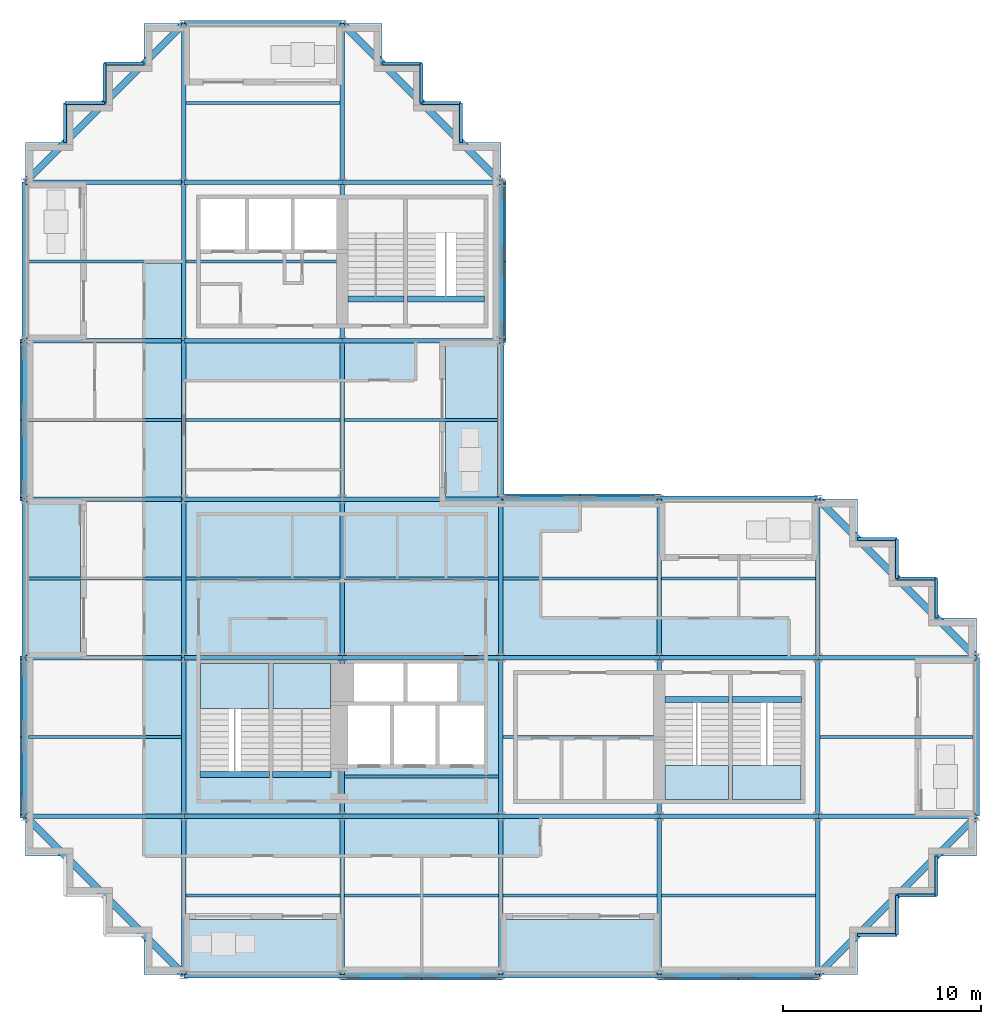
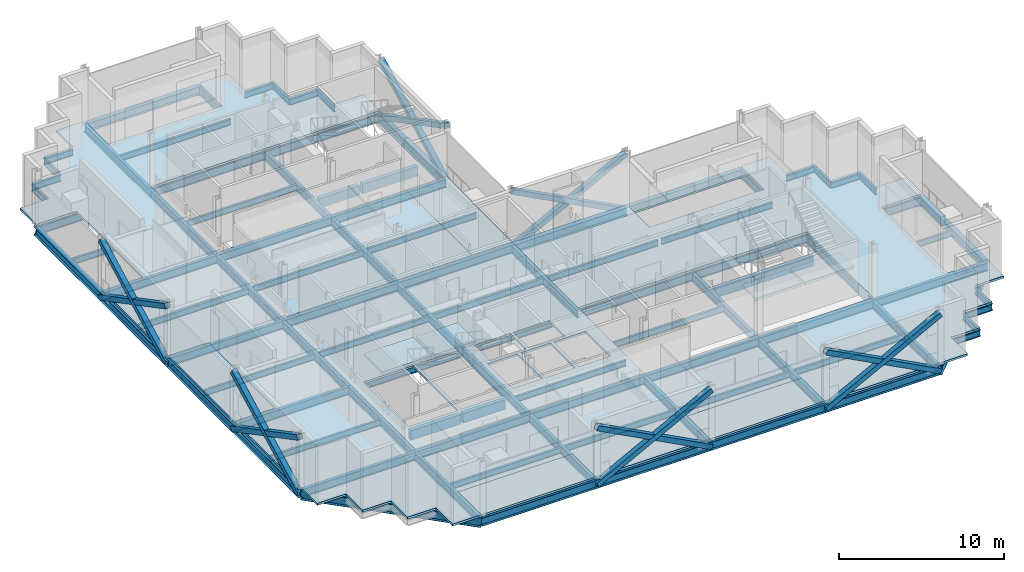
# One storey, part 3 of 12: 102 beams, 12 members, 10 slabs, 4 elements without a shape of their own.
"""IFC4 building model written with IfcOpenShell, lengths in metres."""

from ifc_helpers import new_model, si_unit, direction, frame, origin, origin_2d, place, context, subcontext, project, spatial, polyline, rectangle, hollow_rectangle, i_section, outline, extrude, material, layer, layer_set, material_profile, profile_set, type_object, element, aggregate, save


model = new_model("IFC4")

# Units and contexts
model_context = context("Model", 3, precision=1e-05, world=origin(), true_north=direction((0.0, 1.0)))
body_context = subcontext(model_context, "Body", "Model", "MODEL_VIEW")
ifc_project = project(units=[si_unit("LENGTHUNIT", "METRE"), si_unit("AREAUNIT", "SQUARE_METRE"), si_unit("VOLUMEUNIT", "CUBIC_METRE"), si_unit("PLANEANGLEUNIT", "RADIAN"), si_unit("MASSUNIT", "GRAM", prefix="KILO")], contexts=[model_context])

# Site, building, storey
site_placement = place(None, origin())
site = spatial("IfcSite", under=ifc_project, at=site_placement, CompositionType="ELEMENT")
building_placement = place(site_placement, origin())
building = spatial("IfcBuilding", under=site, at=building_placement, Name="Immortelle Media Tower", CompositionType="ELEMENT")
storey_placement = place(building_placement, frame((0.0, 0.0, 153.60009765625)))
storey = spatial("IfcBuildingStorey", under=building, at=storey_placement, Name="L31", CompositionType="ELEMENT", Elevation=153.60009765625)

# Members
ifc_material_1 = material(Name="Steel ASTM A500 Gr C", Category="steel")
ifc_material_profile_1 = material_profile(ifc_material_1, hollow_rectangle(XDim=0.35595703125, YDim=0.35595703125, WallThickness=0.011962890625, at=origin_2d()), Name="HSS14x14x1/2 brace")
ifc_profile_set_1 = profile_set([ifc_material_profile_1], Name="Steel ASTM A500 Gr C")
member_type = type_object("IfcMemberType", Name="HSS14x14x1/2 brace", PredefinedType="BRACE", material=ifc_profile_set_1)
for number, where, z_axis, x_axis, name in (
    (1, (16.0, -0.087890625, -0.4560546875), (0.885400126936, 0.0, 0.464829662588), (0.0, 1.0, 0.0), "Brace A/3-4 A"),
    (2, (16.0, -0.087890625, 3.743896484375), (0.885400126936, 0.0, -0.464829662588), (0.0, 1.0, 0.0), "Brace A/3-4 B"),
    (3, (32.0, -0.087890625, -0.4560546875), (0.885400126936, 0.0, 0.464829662588), (0.0, 1.0, 0.0), "Brace A/5-6 A"),
    (4, (32.0, -0.087890625, 3.743896484375), (0.885400126936, 0.0, -0.464829662588), (0.0, 1.0, 0.0), "Brace A/5-6 B"),
    (5, (32.0, 24.087890625, -0.4560546875), (-0.885400126936, 0.0, 0.464829662588), (0.0, -1.0, 0.0), "Brace D/4-5 A"),
    (6, (32.0, 24.087890625, 3.743896484375), (-0.885400126936, 0.0, -0.464829662588), (0.0, -1.0, 0.0), "Brace D/4-5 B"),
    (7, (24.087890625, 32.0, -0.4560546875), (0.0, 0.885400126936, 0.464829662588), (-1.0, 0.0, 0.0), "Brace 4/E-F A"),
    (8, (24.087890625, 32.0, 3.743896484375), (0.0, 0.885400126936, -0.464829662588), (-1.0, 0.0, 0.0), "Brace 4/E-F B"),
    (9, (-0.087890625, 32.0, -0.4560546875), (0.0, -0.885400126936, 0.464829662588), (1.0, 0.0, 0.0), "Brace 1/D-E A"),
    (10, (-0.087890625, 32.0, 3.743896484375), (0.0, -0.885400126936, -0.464829662588), (1.0, 0.0, 0.0), "Brace 1/D-E B"),
    (11, (-0.087890625, 16.0, -0.4560546875), (0.0, -0.885400126936, 0.464829662588), (1.0, 0.0, 0.0), "Brace 1/B-C A"),
    (12, (-0.087890625, 16.0, 3.743896484375), (0.0, -0.885400126936, -0.464829662588), (1.0, 0.0, 0.0), "Brace 1/B-C B"),
):
    element("IfcMember", number, at=place(storey_placement, frame(where, z_axis=z_axis, x_axis=x_axis)), inside=storey, type_object=member_type, Name=name, PredefinedType="BRACE", context=body_context, shape_type="SweptSolid", body=[
        extrude(hollow_rectangle(XDim=0.35595703125, YDim=0.35595703125, WallThickness=0.011962890625, at=origin_2d()), origin(), (0.0, 0.0, 1.0), 9.035400390625),
    ])

# Beams
ifc_material_2 = material(Name="Concrete C50/60", Category="concrete")
ifc_material_profile_2 = material_profile(ifc_material_2, rectangle(XDim=0.300048828125, YDim=0.699951171875, at=origin_2d()), Name="RC 300x700")
ifc_profile_set_2 = profile_set([ifc_material_profile_2], Name="Concrete C50/60")
beam_type_1 = type_object("IfcBeamType", Name="Stair trimmer beam 300 x 700", PredefinedType="BEAM", material=ifc_profile_set_2)
beam_1_placement = place(storey_placement, frame((8.830078125, 10.10498046875, -0.5), z_axis=(1.0, 0.0, 0.0), x_axis=(0.0, 1.0, 0.0)))
element("IfcBeam", 13, at=beam_1_placement, inside=storey, type_object=beam_type_1, Name="Stair trimmer beam SW1", PredefinedType="BEAM", context=body_context, shape_type="SweptSolid", body=[
    extrude(rectangle(XDim=0.300048828125, YDim=0.699951171875, at=origin_2d()), origin(), (0.0, 0.0, 1.0), 3.489990234375),
])
beam_2_placement = place(storey_placement, frame((12.47998046875, 10.10498046875, -0.5), z_axis=(1.0, 0.0, 0.0), x_axis=(0.0, 1.0, 0.0)))
element("IfcBeam", 14, at=beam_2_placement, inside=storey, type_object=beam_type_1, Name="Stair trimmer beam SW2", PredefinedType="BEAM", context=body_context, shape_type="SweptSolid", body=[
    extrude(rectangle(XDim=0.300048828125, YDim=0.699951171875, at=origin_2d()), origin(), (0.0, 0.0, 1.0), 2.93994140625),
])
beam_3_placement = place(storey_placement, frame((32.280029296875, 13.89501953125, -0.5), z_axis=(1.0, 0.0, 0.0), x_axis=(0.0, 1.0, 0.0)))
element("IfcBeam", 15, at=beam_3_placement, inside=storey, type_object=beam_type_1, Name="Stair trimmer beam SE1", PredefinedType="BEAM", context=body_context, shape_type="SweptSolid", body=[
    extrude(rectangle(XDim=0.300048828125, YDim=0.699951171875, at=origin_2d()), origin(), (0.0, 0.0, 1.0), 3.239990234375),
])
beam_4_placement = place(storey_placement, frame((35.679931640625, 13.89501953125, -0.5), z_axis=(1.0, 0.0, 0.0), x_axis=(0.0, 1.0, 0.0)))
element("IfcBeam", 16, at=beam_4_placement, inside=storey, type_object=beam_type_1, Name="Stair trimmer beam SE2", PredefinedType="BEAM", context=body_context, shape_type="SweptSolid", body=[
    extrude(rectangle(XDim=0.300048828125, YDim=0.699951171875, at=origin_2d()), origin(), (0.0, 0.0, 1.0), 3.489990234375),
])
beam_5_placement = place(storey_placement, frame((16.280029296875, 34.10498046875, -0.5), z_axis=(1.0, 0.0, 0.0), x_axis=(0.0, 1.0, 0.0)))
element("IfcBeam", 17, at=beam_5_placement, inside=storey, type_object=beam_type_1, Name="Stair trimmer beam NW1", PredefinedType="BEAM", context=body_context, shape_type="SweptSolid", body=[
    extrude(rectangle(XDim=0.300048828125, YDim=0.699951171875, at=origin_2d()), origin(), (0.0, 0.0, 1.0), 2.840087890625),
])
beam_6_placement = place(storey_placement, frame((19.280029296875, 34.10498046875, -0.5), z_axis=(1.0, 0.0, 0.0), x_axis=(0.0, 1.0, 0.0)))
element("IfcBeam", 18, at=beam_6_placement, inside=storey, type_object=beam_type_1, Name="Stair trimmer beam NW2", PredefinedType="BEAM", context=body_context, shape_type="SweptSolid", body=[
    extrude(rectangle(XDim=0.300048828125, YDim=0.699951171875, at=origin_2d()), origin(), (0.0, 0.0, 1.0), 3.889892578125),
])
ifc_material_3 = material(Name="Steel ASTM A992 Gr 50", Category="steel")
ifc_material_profile_3 = material_profile(ifc_material_3, i_section(OverallWidth=0.153076171875, OverallDepth=0.455078125, WebThickness=0.008056640625, FlangeThickness=0.012939453125, at=origin_2d()), Name="W18x40")
ifc_profile_set_3 = profile_set([ifc_material_profile_3], Name="Steel ASTM A992 Gr 50")
beam_type_2 = type_object("IfcBeamType", Name="W18x40 secondary beam", PredefinedType="JOIST", material=ifc_profile_set_3)
for number, where, z_axis, x_axis, name in (
    (19, (8.114013671875, 4.0, -0.377685546875), (1.0, 0.0, 0.0), (0.0, 1.0, 0.0), "Beam A-B/2-3"),
    (20, (16.114013671875, 4.0, -0.377685546875), (1.0, 0.0, 0.0), (0.0, 1.0, 0.0), "Beam A-B/3-4"),
    (21, (24.114013671875, 4.0, -0.377685546875), (1.0, 0.0, 0.0), (0.0, 1.0, 0.0), "Beam A-B/4-5"),
    (22, (32.114013671875, 4.0, -0.377685546875), (1.0, 0.0, 0.0), (0.0, 1.0, 0.0), "Beam A-B/5-6"),
):
    element("IfcBeam", number, at=place(storey_placement, frame(where, z_axis=z_axis, x_axis=x_axis)), inside=storey, type_object=beam_type_2, Name=name, PredefinedType="JOIST", context=body_context, shape_type="SweptSolid", body=[
        extrude(i_section(OverallWidth=0.153076171875, OverallDepth=0.455078125, WebThickness=0.008056640625, FlangeThickness=0.012939453125, at=origin_2d()), origin(), (0.0, 0.0, 1.0), 7.77197265625),
    ])
beam_7_placement = place(storey_placement, frame((0.162109375, 12.0, -0.377685546875), z_axis=(1.0, 0.0, 0.0), x_axis=(0.0, 1.0, 0.0)))
element("IfcBeam", 23, at=beam_7_placement, inside=storey, type_object=beam_type_2, Name="Beam B-C/1-2", PredefinedType="JOIST", context=body_context, shape_type="SweptSolid", body=[
    extrude(i_section(OverallWidth=0.153076171875, OverallDepth=0.455078125, WebThickness=0.008056640625, FlangeThickness=0.012939453125, at=origin_2d()), origin(), (0.0, 0.0, 1.0), 7.723876953125),
])
for number, where, z_axis, x_axis, name in (
    (24, (16.114013671875, 10.0, -0.377685546875), (1.0, 0.0, 0.0), (0.0, 1.0, 0.0), "Beam B-C/3-4"),
    (25, (24.114013671875, 12.0, -0.377685546875), (1.0, 0.0, 0.0), (0.0, 1.0, 0.0), "Beam B-C/4-5"),
):
    element("IfcBeam", number, at=place(storey_placement, frame(where, z_axis=z_axis, x_axis=x_axis)), inside=storey, type_object=beam_type_2, Name=name, PredefinedType="JOIST", context=body_context, shape_type="SweptSolid", body=[
        extrude(i_section(OverallWidth=0.153076171875, OverallDepth=0.455078125, WebThickness=0.008056640625, FlangeThickness=0.012939453125, at=origin_2d()), origin(), (0.0, 0.0, 1.0), 7.77197265625),
    ])
for number, where, z_axis, x_axis, name in (
    (26, (40.114013671875, 12.0, -0.377685546875), (1.0, 0.0, 0.0), (0.0, 1.0, 0.0), "Beam B-C/6-7"),
    (27, (0.162109375, 20.0, -0.377685546875), (1.0, 0.0, 0.0), (0.0, 1.0, 0.0), "Beam C-D/1-2"),
):
    element("IfcBeam", number, at=place(storey_placement, frame(where, z_axis=z_axis, x_axis=x_axis)), inside=storey, type_object=beam_type_2, Name=name, PredefinedType="JOIST", context=body_context, shape_type="SweptSolid", body=[
        extrude(i_section(OverallWidth=0.153076171875, OverallDepth=0.455078125, WebThickness=0.008056640625, FlangeThickness=0.012939453125, at=origin_2d()), origin(), (0.0, 0.0, 1.0), 7.723876953125),
    ])
for number, where, z_axis, x_axis, name in (
    (28, (8.114013671875, 20.0, -0.377685546875), (1.0, 0.0, 0.0), (0.0, 1.0, 0.0), "Beam C-D/2-3"),
    (29, (16.114013671875, 20.0, -0.377685546875), (1.0, 0.0, 0.0), (0.0, 1.0, 0.0), "Beam C-D/3-4"),
    (30, (24.114013671875, 20.0, -0.377685546875), (1.0, 0.0, 0.0), (0.0, 1.0, 0.0), "Beam C-D/4-5"),
    (31, (32.114013671875, 20.0, -0.377685546875), (1.0, 0.0, 0.0), (0.0, 1.0, 0.0), "Beam C-D/5-6"),
):
    element("IfcBeam", number, at=place(storey_placement, frame(where, z_axis=z_axis, x_axis=x_axis)), inside=storey, type_object=beam_type_2, Name=name, PredefinedType="JOIST", context=body_context, shape_type="SweptSolid", body=[
        extrude(i_section(OverallWidth=0.153076171875, OverallDepth=0.455078125, WebThickness=0.008056640625, FlangeThickness=0.012939453125, at=origin_2d()), origin(), (0.0, 0.0, 1.0), 7.77197265625),
    ])
beam_8_placement = place(storey_placement, frame((0.162109375, 28.0, -0.377685546875), z_axis=(1.0, 0.0, 0.0), x_axis=(0.0, 1.0, 0.0)))
element("IfcBeam", 32, at=beam_8_placement, inside=storey, type_object=beam_type_2, Name="Beam D-E/1-2", PredefinedType="JOIST", context=body_context, shape_type="SweptSolid", body=[
    extrude(i_section(OverallWidth=0.153076171875, OverallDepth=0.455078125, WebThickness=0.008056640625, FlangeThickness=0.012939453125, at=origin_2d()), origin(), (0.0, 0.0, 1.0), 7.723876953125),
])
beam_9_placement = place(storey_placement, frame((8.114013671875, 28.0, -0.377685546875), z_axis=(1.0, 0.0, 0.0), x_axis=(0.0, 1.0, 0.0)))
element("IfcBeam", 33, at=beam_9_placement, inside=storey, type_object=beam_type_2, Name="Beam D-E/2-3", PredefinedType="JOIST", context=body_context, shape_type="SweptSolid", body=[
    extrude(i_section(OverallWidth=0.153076171875, OverallDepth=0.455078125, WebThickness=0.008056640625, FlangeThickness=0.012939453125, at=origin_2d()), origin(), (0.0, 0.0, 1.0), 7.77197265625),
])
for number, where, z_axis, x_axis, name in (
    (34, (16.114013671875, 28.0, -0.377685546875), (1.0, 0.0, 0.0), (0.0, 1.0, 0.0), "Beam D-E/3-4"),
    (35, (0.162109375, 36.0, -0.377685546875), (1.0, 0.0, 0.0), (0.0, 1.0, 0.0), "Beam E-F/1-2"),
):
    element("IfcBeam", number, at=place(storey_placement, frame(where, z_axis=z_axis, x_axis=x_axis)), inside=storey, type_object=beam_type_2, Name=name, PredefinedType="JOIST", context=body_context, shape_type="SweptSolid", body=[
        extrude(i_section(OverallWidth=0.153076171875, OverallDepth=0.455078125, WebThickness=0.008056640625, FlangeThickness=0.012939453125, at=origin_2d()), origin(), (0.0, 0.0, 1.0), 7.723876953125),
    ])
for number, where, z_axis, x_axis, name in (
    (36, (8.114013671875, 36.0, -0.377685546875), (1.0, 0.0, 0.0), (0.0, 1.0, 0.0), "Beam E-F/2-3"),
    (37, (8.114013671875, 44.0, -0.377685546875), (1.0, 0.0, 0.0), (0.0, 1.0, 0.0), "Beam F-G/2-3"),
):
    element("IfcBeam", number, at=place(storey_placement, frame(where, z_axis=z_axis, x_axis=x_axis)), inside=storey, type_object=beam_type_2, Name=name, PredefinedType="JOIST", context=body_context, shape_type="SweptSolid", body=[
        extrude(i_section(OverallWidth=0.153076171875, OverallDepth=0.455078125, WebThickness=0.008056640625, FlangeThickness=0.012939453125, at=origin_2d()), origin(), (0.0, 0.0, 1.0), 7.77197265625),
    ])
ifc_material_profile_4 = material_profile(ifc_material_3, i_section(OverallWidth=0.153076171875, OverallDepth=0.455078125, WebThickness=0.008056640625, FlangeThickness=0.012939453125, at=origin_2d()), Name="W18x40")
ifc_profile_set_4 = profile_set([ifc_material_profile_4], Name="Steel ASTM A992 Gr 50")
beam_type_3 = type_object("IfcBeamType", Name="W18x40 serration edge beam", PredefinedType="SPANDREL", material=ifc_profile_set_4)
for number, where, z_axis, x_axis, name in (
    (38, (2.0, 42.0, -0.377685546875), (0.0, 1.0, 0.0), (-1.0, 0.0, 0.0), "Corner edge beam 1 at 1/G"),
    (39, (2.0, 44.0, -0.377685546875), (1.0, 0.0, 0.0), (0.0, 1.0, 0.0), "Corner edge beam 2 at 1/G"),
    (40, (4.0, 44.0, -0.377685546875), (0.0, 1.0, 0.0), (-1.0, 0.0, 0.0), "Corner edge beam 3 at 1/G"),
    (41, (4.0, 46.0, -0.377685546875), (1.0, 0.0, 0.0), (0.0, 1.0, 0.0), "Corner edge beam 4 at 1/G"),
    (42, (18.0, 46.0, -0.377685546875), (1.0, 0.0, 0.0), (0.0, 1.0, 0.0), "Corner edge beam 1 at 4/G"),
    (43, (20.0, 46.0, -0.377685546875), (0.0, -1.0, 0.0), (1.0, 0.0, 0.0), "Corner edge beam 2 at 4/G"),
    (44, (20.0, 44.0, -0.377685546875), (1.0, 0.0, 0.0), (0.0, 1.0, 0.0), "Corner edge beam 3 at 4/G"),
    (45, (22.0, 44.0, -0.377685546875), (0.0, -1.0, 0.0), (1.0, 0.0, 0.0), "Corner edge beam 4 at 4/G"),
    (46, (46.0, 6.0, -0.377685546875), (0.0, -1.0, 0.0), (1.0, 0.0, 0.0), "Corner edge beam 1 at 7/A"),
    (47, (46.0, 4.0, -0.377685546875), (-1.0, 0.0, 0.0), (0.0, -1.0, 0.0), "Corner edge beam 2 at 7/A"),
    (48, (44.0, 4.0, -0.377685546875), (0.0, -1.0, 0.0), (1.0, 0.0, 0.0), "Corner edge beam 3 at 7/A"),
    (49, (44.0, 2.0, -0.377685546875), (-1.0, 0.0, 0.0), (0.0, -1.0, 0.0), "Corner edge beam 4 at 7/A"),
    (50, (42.0, 22.0, -0.377685546875), (1.0, 0.0, 0.0), (0.0, 1.0, 0.0), "Corner edge beam 1 at 7/D"),
    (51, (44.0, 22.0, -0.377685546875), (0.0, -1.0, 0.0), (1.0, 0.0, 0.0), "Corner edge beam 2 at 7/D"),
    (52, (44.0, 20.0, -0.377685546875), (1.0, 0.0, 0.0), (0.0, 1.0, 0.0), "Corner edge beam 3 at 7/D"),
    (53, (46.0, 20.0, -0.377685546875), (0.0, -1.0, 0.0), (1.0, 0.0, 0.0), "Corner edge beam 4 at 7/D"),
):
    element("IfcBeam", number, at=place(storey_placement, frame(where, z_axis=z_axis, x_axis=x_axis)), inside=storey, type_object=beam_type_3, Name=name, PredefinedType="SPANDREL", context=body_context, shape_type="SweptSolid", body=[
        extrude(i_section(OverallWidth=0.153076171875, OverallDepth=0.455078125, WebThickness=0.008056640625, FlangeThickness=0.012939453125, at=origin_2d()), origin(), (0.0, 0.0, 1.0), 2.0),
    ])
ifc_material_profile_5 = material_profile(ifc_material_3, i_section(OverallWidth=0.323974609375, OverallDepth=0.612060546875, WebThickness=0.012939453125, FlangeThickness=0.01904296875, at=origin_2d()), Name="W24x104")
ifc_profile_set_5 = profile_set([ifc_material_profile_5], Name="Steel ASTM A992 Gr 50")
beam_type_4 = type_object("IfcBeamType", Name="W24x104 perimeter girder", PredefinedType="SPANDREL", material=ifc_profile_set_5)
for number, where, z_axis, x_axis, name in (
    (54, (0.0, 8.0, -0.4560546875), (0.0, 1.0, 0.0), (-1.0, 0.0, 0.0), "Girder 1/B-C"),
    (55, (0.0, 16.0, -0.4560546875), (0.0, 1.0, 0.0), (-1.0, 0.0, 0.0), "Girder 1/C-D"),
    (56, (0.0, 24.0, -0.4560546875), (0.0, 1.0, 0.0), (-1.0, 0.0, 0.0), "Girder 1/D-E"),
    (57, (0.0, 32.0, -0.4560546875), (0.0, 1.0, 0.0), (-1.0, 0.0, 0.0), "Girder 1/E-F"),
    (58, (8.0, 0.0, -0.4560546875), (1.0, 0.0, 0.0), (0.0, 1.0, 0.0), "Girder A/2-3"),
    (59, (8.0, 48.0, -0.4560546875), (1.0, 0.0, 0.0), (0.0, 1.0, 0.0), "Girder G/2-3"),
    (60, (16.0, 0.0, -0.4560546875), (1.0, 0.0, 0.0), (0.0, 1.0, 0.0), "Girder A/3-4"),
    (61, (24.0, 0.0, -0.4560546875), (1.0, 0.0, 0.0), (0.0, 1.0, 0.0), "Girder A/4-5"),
    (62, (24.0, 24.0, -0.4560546875), (1.0, 0.0, 0.0), (0.0, 1.0, 0.0), "Girder D/4-5"),
    (63, (24.0, 24.0, -0.4560546875), (0.0, 1.0, 0.0), (-1.0, 0.0, 0.0), "Girder 4/D-E"),
    (64, (24.0, 32.0, -0.4560546875), (0.0, 1.0, 0.0), (-1.0, 0.0, 0.0), "Girder 4/E-F"),
    (65, (32.0, 0.0, -0.4560546875), (1.0, 0.0, 0.0), (0.0, 1.0, 0.0), "Girder A/5-6"),
    (66, (32.0, 24.0, -0.4560546875), (1.0, 0.0, 0.0), (0.0, 1.0, 0.0), "Girder D/5-6"),
    (67, (48.0, 8.0, -0.4560546875), (0.0, 1.0, 0.0), (-1.0, 0.0, 0.0), "Girder 7/B-C"),
):
    element("IfcBeam", number, at=place(storey_placement, frame(where, z_axis=z_axis, x_axis=x_axis)), inside=storey, type_object=beam_type_4, Name=name, PredefinedType="SPANDREL", context=body_context, shape_type="SweptSolid", body=[
        extrude(i_section(OverallWidth=0.323974609375, OverallDepth=0.612060546875, WebThickness=0.012939453125, FlangeThickness=0.01904296875, at=origin_2d()), origin(), (0.0, 0.0, 1.0), 8.0),
    ])
ifc_material_profile_6 = material_profile(ifc_material_3, i_section(OverallWidth=0.22802734375, OverallDepth=0.60205078125, WebThickness=0.010986328125, FlangeThickness=0.014892578125, at=origin_2d()), Name="W24x68")
ifc_profile_set_6 = profile_set([ifc_material_profile_6], Name="Steel ASTM A992 Gr 50")
beam_type_5 = type_object("IfcBeamType", Name="W24x68 girder", PredefinedType="BEAM", material=ifc_profile_set_6)
for number, where, z_axis, x_axis, name in (
    (68, (0.0, 8.0, -0.451171875), (1.0, 0.0, 0.0), (0.0, 1.0, 0.0), "Girder B/1-2"),
    (69, (0.0, 16.0, -0.451171875), (1.0, 0.0, 0.0), (0.0, 1.0, 0.0), "Girder C/1-2"),
    (70, (0.0, 24.0, -0.451171875), (1.0, 0.0, 0.0), (0.0, 1.0, 0.0), "Girder D/1-2"),
    (71, (0.0, 32.0, -0.451171875), (1.0, 0.0, 0.0), (0.0, 1.0, 0.0), "Girder E/1-2"),
    (72, (0.0, 40.0, -0.451171875), (1.0, 0.0, 0.0), (0.0, 1.0, 0.0), "Girder F/1-2"),
    (73, (8.0, 0.0, -0.451171875), (0.0, 1.0, 0.0), (-1.0, 0.0, 0.0), "Girder 2/A-B"),
    (74, (8.0, 8.0, -0.451171875), (1.0, 0.0, 0.0), (0.0, 1.0, 0.0), "Girder B/2-3"),
    (75, (8.0, 8.0, -0.451171875), (0.0, 1.0, 0.0), (-1.0, 0.0, 0.0), "Girder 2/B-C"),
    (76, (8.0, 16.0, -0.451171875), (1.0, 0.0, 0.0), (0.0, 1.0, 0.0), "Girder C/2-3"),
    (77, (8.0, 16.0, -0.451171875), (0.0, 1.0, 0.0), (-1.0, 0.0, 0.0), "Girder 2/C-D"),
    (78, (8.0, 24.0, -0.451171875), (1.0, 0.0, 0.0), (0.0, 1.0, 0.0), "Girder D/2-3"),
    (79, (8.0, 24.0, -0.451171875), (0.0, 1.0, 0.0), (-1.0, 0.0, 0.0), "Girder 2/D-E"),
    (80, (8.0, 32.0, -0.451171875), (1.0, 0.0, 0.0), (0.0, 1.0, 0.0), "Girder E/2-3"),
    (81, (8.0, 32.0, -0.451171875), (0.0, 1.0, 0.0), (-1.0, 0.0, 0.0), "Girder 2/E-F"),
    (82, (8.0, 40.0, -0.451171875), (1.0, 0.0, 0.0), (0.0, 1.0, 0.0), "Girder F/2-3"),
    (83, (8.0, 40.0, -0.451171875), (0.0, 1.0, 0.0), (-1.0, 0.0, 0.0), "Girder 2/F-G"),
    (84, (16.0, 0.0, -0.451171875), (0.0, 1.0, 0.0), (-1.0, 0.0, 0.0), "Girder 3/A-B"),
    (85, (16.0, 8.0, -0.451171875), (1.0, 0.0, 0.0), (0.0, 1.0, 0.0), "Girder B/3-4"),
    (86, (16.0, 8.0, -0.451171875), (0.0, 1.0, 0.0), (-1.0, 0.0, 0.0), "Girder 3/B-C"),
    (87, (16.0, 16.0, -0.451171875), (1.0, 0.0, 0.0), (0.0, 1.0, 0.0), "Girder C/3-4"),
    (88, (16.0, 16.0, -0.451171875), (0.0, 1.0, 0.0), (-1.0, 0.0, 0.0), "Girder 3/C-D"),
    (89, (16.0, 24.0, -0.451171875), (1.0, 0.0, 0.0), (0.0, 1.0, 0.0), "Girder D/3-4"),
    (90, (16.0, 24.0, -0.451171875), (0.0, 1.0, 0.0), (-1.0, 0.0, 0.0), "Girder 3/D-E"),
    (91, (16.0, 32.0, -0.451171875), (1.0, 0.0, 0.0), (0.0, 1.0, 0.0), "Girder E/3-4"),
    (92, (16.0, 32.0, -0.451171875), (0.0, 1.0, 0.0), (-1.0, 0.0, 0.0), "Girder 3/E-F"),
    (93, (16.0, 40.0, -0.451171875), (1.0, 0.0, 0.0), (0.0, 1.0, 0.0), "Girder F/3-4"),
    (94, (16.0, 40.0, -0.451171875), (0.0, 1.0, 0.0), (-1.0, 0.0, 0.0), "Girder 3/F-G"),
    (95, (24.0, 0.0, -0.451171875), (0.0, 1.0, 0.0), (-1.0, 0.0, 0.0), "Girder 4/A-B"),
    (96, (24.0, 8.0, -0.451171875), (1.0, 0.0, 0.0), (0.0, 1.0, 0.0), "Girder B/4-5"),
    (97, (24.0, 8.0, -0.451171875), (0.0, 1.0, 0.0), (-1.0, 0.0, 0.0), "Girder 4/B-C"),
    (98, (24.0, 16.0, -0.451171875), (1.0, 0.0, 0.0), (0.0, 1.0, 0.0), "Girder C/4-5"),
    (99, (24.0, 16.0, -0.451171875), (0.0, 1.0, 0.0), (-1.0, 0.0, 0.0), "Girder 4/C-D"),
    (100, (32.0, 0.0, -0.451171875), (0.0, 1.0, 0.0), (-1.0, 0.0, 0.0), "Girder 5/A-B"),
    (101, (32.0, 8.0, -0.451171875), (1.0, 0.0, 0.0), (0.0, 1.0, 0.0), "Girder B/5-6"),
    (102, (32.0, 8.0, -0.451171875), (0.0, 1.0, 0.0), (-1.0, 0.0, 0.0), "Girder 5/B-C"),
    (103, (32.0, 16.0, -0.451171875), (1.0, 0.0, 0.0), (0.0, 1.0, 0.0), "Girder C/5-6"),
    (104, (32.0, 16.0, -0.451171875), (0.0, 1.0, 0.0), (-1.0, 0.0, 0.0), "Girder 5/C-D"),
    (105, (40.0, 0.0, -0.451171875), (0.0, 1.0, 0.0), (-1.0, 0.0, 0.0), "Girder 6/A-B"),
    (106, (40.0, 8.0, -0.451171875), (1.0, 0.0, 0.0), (0.0, 1.0, 0.0), "Girder B/6-7"),
    (107, (40.0, 8.0, -0.451171875), (0.0, 1.0, 0.0), (-1.0, 0.0, 0.0), "Girder 6/B-C"),
    (108, (40.0, 16.0, -0.451171875), (1.0, 0.0, 0.0), (0.0, 1.0, 0.0), "Girder C/6-7"),
    (109, (40.0, 16.0, -0.451171875), (0.0, 1.0, 0.0), (-1.0, 0.0, 0.0), "Girder 6/C-D"),
):
    element("IfcBeam", number, at=place(storey_placement, frame(where, z_axis=z_axis, x_axis=x_axis)), inside=storey, type_object=beam_type_5, Name=name, PredefinedType="BEAM", context=body_context, shape_type="SweptSolid", body=[
        extrude(i_section(OverallWidth=0.22802734375, OverallDepth=0.60205078125, WebThickness=0.010986328125, FlangeThickness=0.014892578125, at=origin_2d()), origin(), (0.0, 0.0, 1.0), 8.0),
    ])
ifc_material_profile_7 = material_profile(ifc_material_3, i_section(OverallWidth=0.35595703125, OverallDepth=0.696044921875, WebThickness=0.014892578125, FlangeThickness=0.02490234375, at=origin_2d()), Name="W27x146")
ifc_profile_set_7 = profile_set([ifc_material_profile_7], Name="Steel ASTM A992 Gr 50")
beam_type_6 = type_object("IfcBeamType", Name="W27x146 corner girder", PredefinedType="SPANDREL", material=ifc_profile_set_7)
for number, where, z_axis, x_axis, name in (
    (110, (8.0, 0.0, -0.498046875), (-0.707106781187, 0.707106781187, 0.0), (-0.707106781187, -0.707106781187, 0.0), "Corner girder at 1/A"),
    (111, (0.0, 40.0, -0.498046875), (0.707106781187, 0.707106781187, 0.0), (-0.707106781187, 0.707106781187, 0.0), "Corner girder at 1/G"),
    (112, (16.0, 48.0, -0.498046875), (0.707106781187, -0.707106781187, 0.0), (0.707106781187, 0.707106781187, 0.0), "Corner girder at 4/G"),
    (113, (48.0, 8.0, -0.498046875), (-0.707106781187, -0.707106781187, 0.0), (0.707106781187, -0.707106781187, 0.0), "Corner girder at 7/A"),
    (114, (40.0, 24.0, -0.498046875), (0.707106781187, -0.707106781187, 0.0), (0.707106781187, 0.707106781187, 0.0), "Corner girder at 7/D"),
):
    element("IfcBeam", number, at=place(storey_placement, frame(where, z_axis=z_axis, x_axis=x_axis)), inside=storey, type_object=beam_type_6, Name=name, PredefinedType="SPANDREL", context=body_context, shape_type="SweptSolid", body=[
        extrude(i_section(OverallWidth=0.35595703125, OverallDepth=0.696044921875, WebThickness=0.014892578125, FlangeThickness=0.02490234375, at=origin_2d()), origin(), (0.0, 0.0, 1.0), 11.313720703125),
    ])

# Slabs
ifc_material_4 = material(Name="Concrete C50/60 composite deck", Category="concrete")
ifc_layer_1 = layer(ifc_material_4, 0.14990234375)
ifc_layer_set_1 = layer_set([ifc_layer_1], Name="Concrete C50/60 composite deck")
slab_type_1 = type_object("IfcSlabType", Name="Balcony slab 150", PredefinedType="FLOOR", material=ifc_layer_set_1)
slab_1_placement = place(storey_placement, frame((0.0, 0.0, -0.150146484375)))
element("IfcSlab", 115, at=slab_1_placement, inside=storey, type_object=slab_type_1, Name="Balcony slab L31 S0", PredefinedType="FLOOR", context=body_context, shape_type="SweptSolid", body=[
    extrude(outline(polyline([(16.0, 0.0), (16.0, 2.800048828125), (8.0, 2.800048828125), (8.0, 0.0), (16.0, 0.0)])), origin(), (0.0, 0.0, 1.0), 0.150146484375),
])
slab_2_placement = place(storey_placement, frame((0.0, 0.0, -0.150146484375)))
element("IfcSlab", 116, at=slab_2_placement, inside=storey, type_object=slab_type_1, Name="Balcony slab L31 S2", PredefinedType="FLOOR", context=body_context, shape_type="SweptSolid", body=[
    extrude(outline(polyline([(32.0, 0.0), (32.0, 2.800048828125), (24.0, 2.800048828125), (24.0, 0.0), (32.0, 0.0)])), origin(), (0.0, 0.0, 1.0), 0.150146484375),
])
slab_3_placement = place(storey_placement, frame((0.0, 0.0, -0.150146484375)))
element("IfcSlab", 117, at=slab_3_placement, inside=storey, type_object=slab_type_1, Name="Balcony slab L31 E0", PredefinedType="FLOOR", context=body_context, shape_type="SweptSolid", body=[
    extrude(outline(polyline([(24.0, 24.0), (24.0, 32.0), (21.199951171875, 32.0), (21.199951171875, 24.0), (24.0, 24.0)])), origin(), (0.0, 0.0, 1.0), 0.150146484375),
])
slab_4_placement = place(storey_placement, frame((0.0, 0.0, -0.150146484375)))
element("IfcSlab", 118, at=slab_4_placement, inside=storey, type_object=slab_type_1, Name="Balcony slab L31 W2", PredefinedType="FLOOR", context=body_context, shape_type="SweptSolid", body=[
    extrude(outline(polyline([(2.800048828125, 16.0), (2.800048828125, 24.0), (0.0, 24.0), (0.0, 16.0), (2.800048828125, 16.0)])), origin(), (0.0, 0.0, 1.0), 0.150146484375),
])
ifc_layer_2 = layer(ifc_material_2, 0.14990234375)
ifc_layer_set_2 = layer_set([ifc_layer_2], Name="Concrete C50/60")
slab_type_2 = type_object("IfcSlabType", Name="Composite floor slab 150", PredefinedType="FLOOR", material=ifc_layer_set_2)
slab_5_placement = place(storey_placement, frame((0.0, 0.0, -0.150146484375)))
element("IfcSlab", 119, at=slab_5_placement, inside=storey, type_object=slab_type_2, Name="Floor slab L31", PredefinedType="FLOOR", context=body_context, shape_type="SweptSolid", body=[
    extrude(outline(polyline([(6.0, 0.0), (6.0, 2.0), (4.0, 2.0), (4.0, 4.0), (2.0, 4.0), (2.0, 6.0), (0.0, 6.0), (0.0, 16.0), (2.800048828125, 16.0), (2.800048828125, 24.0), (0.0, 24.0), (0.0, 32.0), (2.800048828125, 32.0), (2.800048828125, 40.0), (0.0, 40.0), (0.0, 42.0), (2.0, 42.0), (2.0, 44.0), (4.0, 44.0), (4.0, 46.0), (6.0, 46.0), (6.0, 48.0), (8.0, 48.0), (8.0, 45.199951171875), (16.0, 45.199951171875), (16.0, 48.0), (18.0, 48.0), (18.0, 46.0), (20.0, 46.0), (20.0, 44.0), (22.0, 44.0), (22.0, 42.0), (24.0, 42.0), (24.0, 40.0), (8.0, 40.0), (8.0, 32.0), (21.199951171875, 32.0), (21.199951171875, 24.0), (8.0, 24.0), (8.0, 8.0), (24.0, 8.0), (40.0, 8.0), (40.0, 16.0), (24.0, 16.0), (24.0, 24.0), (32.0, 24.0), (32.0, 21.199951171875), (40.0, 21.199951171875), (40.0, 24.0), (42.0, 24.0), (42.0, 22.0), (44.0, 22.0), (44.0, 20.0), (46.0, 20.0), (46.0, 18.0), (48.0, 18.0), (48.0, 16.0), (45.199951171875, 16.0), (45.199951171875, 8.0), (48.0, 8.0), (48.0, 6.0), (46.0, 6.0), (46.0, 4.0), (44.0, 4.0), (44.0, 2.0), (42.0, 2.0), (42.0, 0.0), (32.0, 0.0), (32.0, 2.800048828125), (24.0, 2.800048828125), (24.0, 0.0), (16.0, 0.0), (16.0, 2.800048828125), (8.0, 2.800048828125), (8.0, 0.0), (6.0, 0.0)])), origin(), (0.0, 0.0, 1.0), 0.150146484375),
])
ifc_layer_3 = layer(ifc_material_2, 0.14990234375)
ifc_layer_set_3 = layer_set([ifc_layer_3], Name="Concrete C50/60")
slab_type_3 = type_object("IfcSlabType", Name="Core floor slab 150", PredefinedType="FLOOR", material=ifc_layer_set_3)
slab_6_placement = place(storey_placement, frame((0.0, 0.0, -0.150146484375)))
element("IfcSlab", 120, at=slab_6_placement, inside=storey, type_object=slab_type_3, Name="Core floor SW", PredefinedType="FLOOR", context=body_context, shape_type="SweptSolid", body=[
    extrude(outline(polyline([(8.0, 8.0), (24.0, 8.0), (24.0, 24.0), (8.0, 24.0), (8.0, 8.0)]), holes=[polyline([(16.60009765625, 13.800048828125), (19.10009765625, 13.800048828125), (19.10009765625, 15.699951171875), (16.60009765625, 15.699951171875), (16.60009765625, 13.800048828125)]), polyline([(19.300048828125, 13.800048828125), (21.800048828125, 13.800048828125), (21.800048828125, 15.699951171875), (19.300048828125, 15.699951171875), (19.300048828125, 13.800048828125)]), polyline([(16.300048828125, 10.60009765625), (18.39990234375, 10.60009765625), (18.39990234375, 13.60009765625), (16.300048828125, 13.60009765625), (16.300048828125, 10.60009765625)]), polyline([(18.60009765625, 10.60009765625), (20.699951171875, 10.60009765625), (20.699951171875, 13.60009765625), (18.60009765625, 13.60009765625), (18.60009765625, 10.60009765625)]), polyline([(20.89990234375, 10.60009765625), (23.14990234375, 10.60009765625), (23.14990234375, 13.60009765625), (20.89990234375, 13.60009765625), (20.89990234375, 10.60009765625)]), polyline([(8.85009765625, 10.27001953125), (12.300048828125, 10.27001953125), (12.300048828125, 15.699951171875), (8.85009765625, 15.699951171875), (8.85009765625, 10.27001953125)]), polyline([(12.5, 10.27001953125), (15.39990234375, 10.27001953125), (15.39990234375, 15.699951171875), (12.5, 15.699951171875), (12.5, 10.27001953125)])]), origin(), (0.0, 0.0, 1.0), 0.150146484375),
])

# Stair, slab
stair_type = type_object("IfcStairType", Name="Stair with flights", PredefinedType="DOUBLE_RETURN_STAIR", material=ifc_material_3)
stair_1_placement = place(storey_placement, origin())
stair_1 = element("IfcStair", 121, at=stair_1_placement, inside=storey, type_object=stair_type, Name="Exit stair SW1", PredefinedType="DOUBLE_RETURN_STAIR")
ifc_material_5 = material(Name="Steel ASTM A572 Gr 50", Category="steel")
ifc_layer_4 = layer(ifc_material_5, 0.199951171875)
ifc_layer_set_4 = layer_set([ifc_layer_4], Name="Steel ASTM A572 Gr 50")
slab_type_4 = type_object("IfcSlabType", Name="Stair landing 200", PredefinedType="LANDING", material=ifc_layer_set_4)
slab_7_placement = place(storey_placement, frame((0.0, 0.0, 1.89990234375)))
slab_7 = element("IfcSlab", 122, at=slab_7_placement, type_object=slab_type_4, Name="ST SW1 landing 1", PredefinedType="LANDING", context=body_context, shape_type="SweptSolid", body=[
    extrude(outline(polyline([(8.85009765625, 13.43994140625), (12.300048828125, 13.43994140625), (12.300048828125, 15.699951171875), (8.85009765625, 15.699951171875), (8.85009765625, 13.43994140625)])), origin(), (0.0, 0.0, 1.0), 0.199951171875),
])
aggregate(stair_1, [slab_7])

stair_2_placement = place(storey_placement, origin())
stair_2 = element("IfcStair", 123, at=stair_2_placement, inside=storey, type_object=stair_type, Name="Exit stair SW2", PredefinedType="DOUBLE_RETURN_STAIR")
slab_8_placement = place(storey_placement, frame((0.0, 0.0, 1.89990234375)))
slab_8 = element("IfcSlab", 124, at=slab_8_placement, type_object=slab_type_4, Name="ST SW2 landing 1", PredefinedType="LANDING", context=body_context, shape_type="SweptSolid", body=[
    extrude(outline(polyline([(12.5, 13.43994140625), (15.39990234375, 13.43994140625), (15.39990234375, 15.699951171875), (12.5, 15.699951171875), (12.5, 13.43994140625)])), origin(), (0.0, 0.0, 1.0), 0.199951171875),
])
aggregate(stair_2, [slab_8])

stair_3_placement = place(storey_placement, origin())
stair_3 = element("IfcStair", 125, at=stair_3_placement, inside=storey, type_object=stair_type, Name="Exit stair SE1", PredefinedType="DOUBLE_RETURN_STAIR")
slab_9_placement = place(storey_placement, frame((0.0, 0.0, 1.89990234375)))
slab_9 = element("IfcSlab", 126, at=slab_9_placement, type_object=slab_type_4, Name="ST SE1 landing 1", PredefinedType="LANDING", context=body_context, shape_type="SweptSolid", body=[
    extrude(outline(polyline([(32.300048828125, 8.85009765625), (35.5, 8.85009765625), (35.5, 10.56005859375), (32.300048828125, 10.56005859375), (32.300048828125, 8.85009765625)])), origin(), (0.0, 0.0, 1.0), 0.199951171875),
])
aggregate(stair_3, [slab_9])

stair_4_placement = place(storey_placement, origin())
stair_4 = element("IfcStair", 127, at=stair_4_placement, inside=storey, type_object=stair_type, Name="Exit stair SE2", PredefinedType="DOUBLE_RETURN_STAIR")
slab_10_placement = place(storey_placement, frame((0.0, 0.0, 1.89990234375)))
slab_10 = element("IfcSlab", 128, at=slab_10_placement, type_object=slab_type_4, Name="ST SE2 landing 1", PredefinedType="LANDING", context=body_context, shape_type="SweptSolid", body=[
    extrude(outline(polyline([(35.699951171875, 8.85009765625), (39.14990234375, 8.85009765625), (39.14990234375, 10.56005859375), (35.699951171875, 10.56005859375), (35.699951171875, 8.85009765625)])), origin(), (0.0, 0.0, 1.0), 0.199951171875),
])
aggregate(stair_4, [slab_10])

save(model, "model.ifc")
